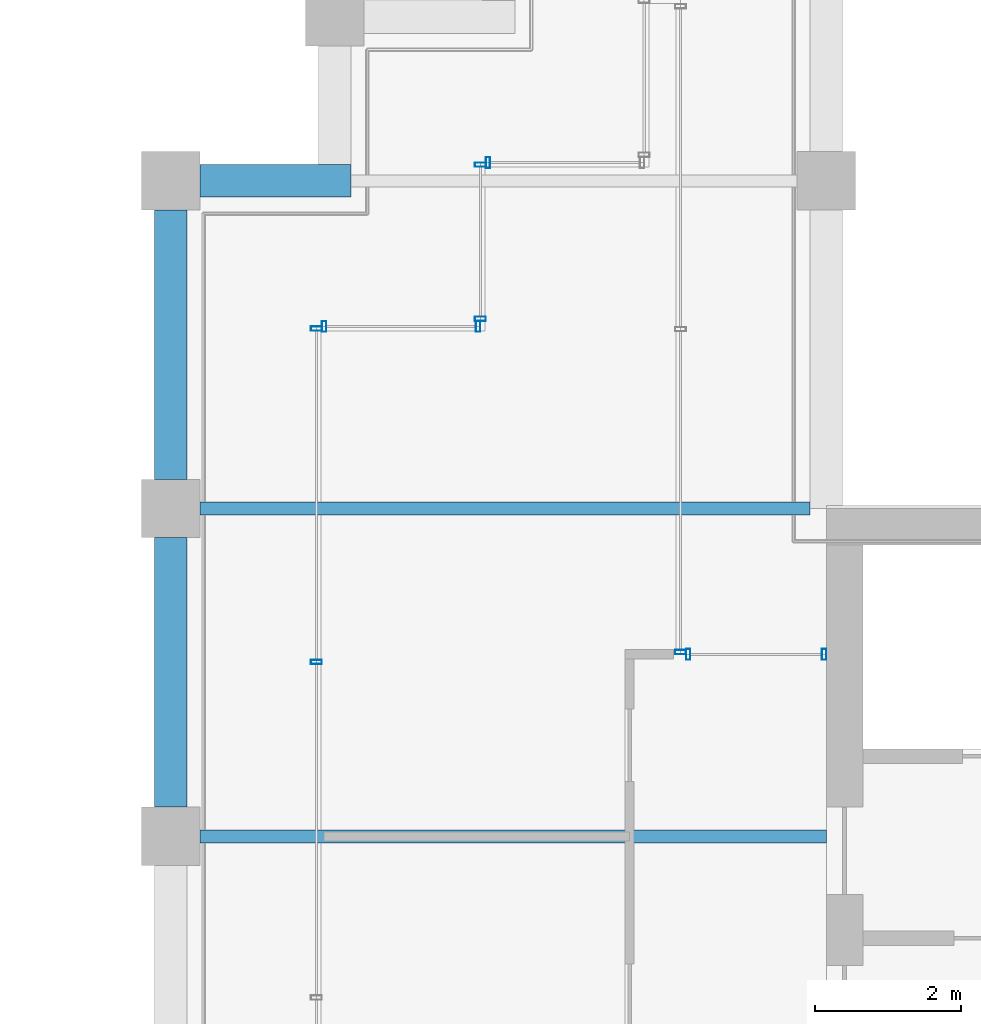
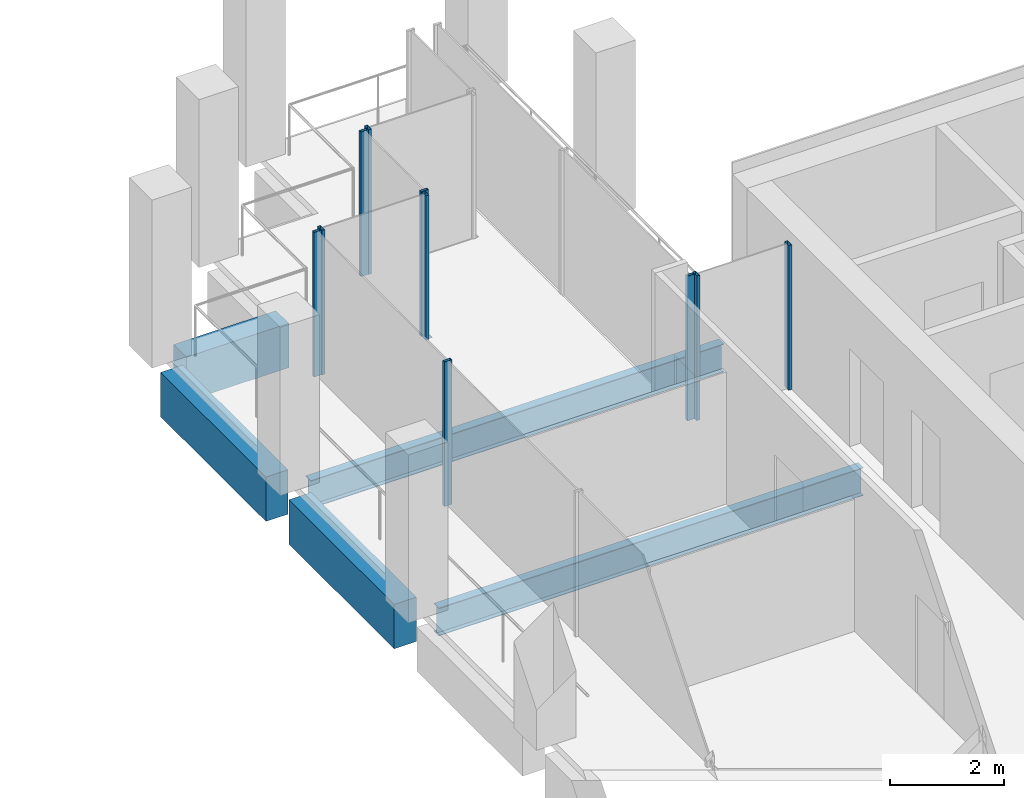
# One storey, part 32 of 40: 10 members, 5 beams, 6 elements without a shape of their own.
"""IFC4 building model written with IfcOpenShell, lengths in metres."""

from ifc_helpers import new_model, si_unit, direction, frame, origin, origin_2d, place, context, subcontext, project, spatial, rectangle, hollow_rectangle, i_section, extrude, material, material_profile, profile_set, type_object, element, aggregate, save


model = new_model("IFC4")

# Units and contexts
model_context = context("Model", 3, precision=1e-05, world=origin(), true_north=direction((0.0, 1.0)))
body_context = subcontext(model_context, "Body", "Model", "MODEL_VIEW")
ifc_project = project(units=[si_unit("LENGTHUNIT", "METRE"), si_unit("AREAUNIT", "SQUARE_METRE"), si_unit("VOLUMEUNIT", "CUBIC_METRE"), si_unit("PLANEANGLEUNIT", "RADIAN"), si_unit("MASSUNIT", "GRAM", prefix="KILO")], contexts=[model_context])

# Site, building, storey
site_placement = place(None, origin())
site = spatial("IfcSite", under=ifc_project, at=site_placement, CompositionType="ELEMENT")
building_placement = place(site_placement, origin())
building = spatial("IfcBuilding", under=site, at=building_placement, Name="Altepetl Exchange Towers", CompositionType="ELEMENT")
storey_placement = place(building_placement, frame((0.0, 0.0, 202.800048828125)))
storey = spatial("IfcBuildingStorey", under=building, at=storey_placement, Name="L51", CompositionType="ELEMENT", Elevation=202.800048828125)

# Beams
ifc_material_1 = material(Name="Steel S355", Category="steel")
ifc_material_profile_1 = material_profile(ifc_material_1, i_section(OverallWidth=0.177978515625, OverallDepth=0.59912109375, WebThickness=0.010009765625, FlangeThickness=0.0126953125, at=origin_2d()), Name="W24X55")
ifc_profile_set_1 = profile_set([ifc_material_profile_1], Name="Steel S355")
beam_type_1 = type_object("IfcBeamType", Name="Floor beam W24X55", PredefinedType="BEAM", material=ifc_profile_set_1)
beam_1_placement = place(storey_placement, frame((94.89990234375, 45.0, -0.449462890625), z_axis=(1.0, 0.0, 0.0), x_axis=(0.0, 1.0, 0.0)))
element("IfcBeam", 1, at=beam_1_placement, inside=storey, type_object=beam_type_1, Name="bm:B:L51:005", PredefinedType="BEAM", context=body_context, shape_type="SweptSolid", body=[
    extrude(i_section(OverallWidth=0.177978515625, OverallDepth=0.59912109375, WebThickness=0.010009765625, FlangeThickness=0.0126953125, at=origin_2d()), origin(), (0.0, 0.0, 1.0), 8.60009765625),
])
beam_2_placement = place(storey_placement, frame((94.89990234375, 49.5, -0.449462890625), z_axis=(1.0, 0.0, 0.0), x_axis=(0.0, 1.0, 0.0)))
element("IfcBeam", 2, at=beam_2_placement, inside=storey, type_object=beam_type_1, Name="bm:B:L51:006", PredefinedType="BEAM", context=body_context, shape_type="SweptSolid", body=[
    extrude(i_section(OverallWidth=0.177978515625, OverallDepth=0.59912109375, WebThickness=0.010009765625, FlangeThickness=0.0126953125, at=origin_2d()), origin(), (0.0, 0.0, 1.0), 8.375),
])

# Curtain wall, members
ifc_material_2 = material(Name="Aluminium 6063-T6 glazing", Category="aluminium")
curtain_wall_type = type_object("IfcCurtainWallType", Name="Loggia glazing system", PredefinedType="NOTDEFINED", material=ifc_material_2)
curtain_wall_1_placement = place(storey_placement, origin())
curtain_wall_1 = element("IfcCurtainWall", 3, at=curtain_wall_1_placement, inside=storey, type_object=curtain_wall_type, Name="CW1 run", PredefinedType="NOTDEFINED")
ifc_material_3 = material(Name="Aluminium 6063-T6", Category="aluminium")
ifc_material_profile_2 = material_profile(ifc_material_3, hollow_rectangle(XDim=0.06005859375, YDim=0.14990234375, WallThickness=0.0029296875, at=origin_2d()), Name="Mullion 60x150 aluminium")
ifc_profile_set_2 = profile_set([ifc_material_profile_2], Name="Aluminium 6063-T6")
member_type = type_object("IfcMemberType", Name="Mullion 60x150 aluminium", PredefinedType="MULLION", material=ifc_profile_set_2)
member_1_placement = place(storey_placement, frame((103.469970703125, 47.5, 0.0), z_axis=(0.0, 0.0, 1.0), x_axis=(-1.0, 0.0, 0.0)))
member_1 = element("IfcMember", 4, at=member_1_placement, type_object=member_type, Name="MU1 mullion", PredefinedType="MULLION", context=body_context, shape_type="SweptSolid", body=[
    extrude(hollow_rectangle(XDim=0.06005859375, YDim=0.14990234375, WallThickness=0.0029296875, at=origin_2d()), origin(), (0.0, 0.0, 1.0), 3.099853515625),
])
member_2_placement = place(storey_placement, frame((101.60498046875, 47.5, 0.0), z_axis=(0.0, 0.0, 1.0), x_axis=(-1.0, 0.0, 0.0)))
member_2 = element("IfcMember", 5, at=member_2_placement, type_object=member_type, Name="MU1 mullion", PredefinedType="MULLION", context=body_context, shape_type="SweptSolid", body=[
    extrude(hollow_rectangle(XDim=0.06005859375, YDim=0.14990234375, WallThickness=0.0029296875, at=origin_2d()), origin(), (0.0, 0.0, 1.0), 3.099853515625),
])
aggregate(curtain_wall_1, [member_1, member_2])

# Curtain wall, member
curtain_wall_2_placement = place(storey_placement, origin())
curtain_wall_2 = element("IfcCurtainWall", 6, at=curtain_wall_2_placement, inside=storey, type_object=curtain_wall_type, Name="CW1 run", PredefinedType="NOTDEFINED")
member_3_placement = place(storey_placement, frame((101.5, 47.530029296875, 0.0), z_axis=(0.0, 0.0, 1.0), x_axis=(0.0, 1.0, 0.0)))
member_3 = element("IfcMember", 7, at=member_3_placement, type_object=member_type, Name="MU1 mullion", PredefinedType="MULLION", context=body_context, shape_type="SweptSolid", body=[
    extrude(hollow_rectangle(XDim=0.06005859375, YDim=0.14990234375, WallThickness=0.0029296875, at=origin_2d()), origin(), (0.0, 0.0, 1.0), 3.099853515625),
])
aggregate(curtain_wall_2, [member_3])

curtain_wall_3_placement = place(storey_placement, origin())
curtain_wall_3 = element("IfcCurtainWall", 8, at=curtain_wall_3_placement, inside=storey, type_object=curtain_wall_type, Name="CW1 run", PredefinedType="NOTDEFINED")
member_4_placement = place(storey_placement, frame((98.85498046875, 54.25, 0.0), z_axis=(0.0, 0.0, 1.0), x_axis=(-1.0, 0.0, 0.0)))
member_4 = element("IfcMember", 9, at=member_4_placement, type_object=member_type, Name="MU1 mullion", PredefinedType="MULLION", context=body_context, shape_type="SweptSolid", body=[
    extrude(hollow_rectangle(XDim=0.06005859375, YDim=0.14990234375, WallThickness=0.0029296875, at=origin_2d()), origin(), (0.0, 0.0, 1.0), 3.099853515625),
])
aggregate(curtain_wall_3, [member_4])

# Curtain wall, members
curtain_wall_4_placement = place(storey_placement, origin())
curtain_wall_4 = element("IfcCurtainWall", 10, at=curtain_wall_4_placement, inside=storey, type_object=curtain_wall_type, Name="CW1 run", PredefinedType="NOTDEFINED")
member_5_placement = place(storey_placement, frame((98.75, 54.219970703125, 0.0), z_axis=(0.0, 0.0, 1.0), x_axis=(0.0, -1.0, 0.0)))
member_5 = element("IfcMember", 11, at=member_5_placement, type_object=member_type, Name="MU1 mullion", PredefinedType="MULLION", context=body_context, shape_type="SweptSolid", body=[
    extrude(hollow_rectangle(XDim=0.06005859375, YDim=0.14990234375, WallThickness=0.0029296875, at=origin_2d()), origin(), (0.0, 0.0, 1.0), 3.099853515625),
])
member_6_placement = place(storey_placement, frame((98.75, 52.10498046875, 0.0), z_axis=(0.0, 0.0, 1.0), x_axis=(0.0, -1.0, 0.0)))
member_6 = element("IfcMember", 12, at=member_6_placement, type_object=member_type, Name="MU1 mullion", PredefinedType="MULLION", context=body_context, shape_type="SweptSolid", body=[
    extrude(hollow_rectangle(XDim=0.06005859375, YDim=0.14990234375, WallThickness=0.0029296875, at=origin_2d()), origin(), (0.0, 0.0, 1.0), 3.099853515625),
])
aggregate(curtain_wall_4, [member_5, member_6])

curtain_wall_5_placement = place(storey_placement, origin())
curtain_wall_5 = element("IfcCurtainWall", 13, at=curtain_wall_5_placement, inside=storey, type_object=curtain_wall_type, Name="CW1 run", PredefinedType="NOTDEFINED")
member_7_placement = place(storey_placement, frame((98.719970703125, 52.0, 0.0), z_axis=(0.0, 0.0, 1.0), x_axis=(-1.0, 0.0, 0.0)))
member_7 = element("IfcMember", 14, at=member_7_placement, type_object=member_type, Name="MU1 mullion", PredefinedType="MULLION", context=body_context, shape_type="SweptSolid", body=[
    extrude(hollow_rectangle(XDim=0.06005859375, YDim=0.14990234375, WallThickness=0.0029296875, at=origin_2d()), origin(), (0.0, 0.0, 1.0), 3.099853515625),
])
member_8_placement = place(storey_placement, frame((96.60498046875, 52.0, 0.0), z_axis=(0.0, 0.0, 1.0), x_axis=(-1.0, 0.0, 0.0)))
member_8 = element("IfcMember", 15, at=member_8_placement, type_object=member_type, Name="MU1 mullion", PredefinedType="MULLION", context=body_context, shape_type="SweptSolid", body=[
    extrude(hollow_rectangle(XDim=0.06005859375, YDim=0.14990234375, WallThickness=0.0029296875, at=origin_2d()), origin(), (0.0, 0.0, 1.0), 3.099853515625),
])
aggregate(curtain_wall_5, [member_7, member_8])

curtain_wall_6_placement = place(storey_placement, origin())
curtain_wall_6 = element("IfcCurtainWall", 16, at=curtain_wall_6_placement, inside=storey, type_object=curtain_wall_type, Name="CW1 run", PredefinedType="NOTDEFINED")
member_9_placement = place(storey_placement, frame((96.5, 51.969970703125, 0.0), z_axis=(0.0, 0.0, 1.0), x_axis=(0.0, -1.0, 0.0)))
member_9 = element("IfcMember", 17, at=member_9_placement, type_object=member_type, Name="MU1 mullion", PredefinedType="MULLION", context=body_context, shape_type="SweptSolid", body=[
    extrude(hollow_rectangle(XDim=0.06005859375, YDim=0.14990234375, WallThickness=0.0029296875, at=origin_2d()), origin(), (0.0, 0.0, 1.0), 3.099853515625),
])
member_10_placement = place(storey_placement, frame((96.5, 47.393798828125, 0.0), z_axis=(0.0, 0.0, 1.0), x_axis=(0.0, -1.0, 0.0)))
member_10 = element("IfcMember", 18, at=member_10_placement, type_object=member_type, Name="MU1 mullion", PredefinedType="MULLION", context=body_context, shape_type="SweptSolid", body=[
    extrude(hollow_rectangle(XDim=0.06005859375, YDim=0.14990234375, WallThickness=0.0029296875, at=origin_2d()), origin(), (0.0, 0.0, 1.0), 3.099853515625),
])
aggregate(curtain_wall_6, [member_9, member_10])

# Beams
ifc_material_4 = material(Name="Concrete C50/60 precast with cantera rosa facing", Category="concrete")
ifc_material_profile_3 = material_profile(ifc_material_4, rectangle(XDim=0.449951171875, YDim=0.949951171875, at=origin_2d()), Name="450 x 950")
ifc_profile_set_3 = profile_set([ifc_material_profile_3], Name="Concrete C50/60 precast with cantera rosa facing")
beam_type_2 = type_object("IfcBeamType", Name="Spandrel beam 450x950 cantera rosa", PredefinedType="SPANDREL", material=ifc_profile_set_3)
beam_3_placement = place(storey_placement, frame((96.97509765625, 54.0, -0.625), z_axis=(-1.0, 0.0, 0.0), x_axis=(0.0, -1.0, 0.0)))
element("IfcBeam", 19, at=beam_3_placement, inside=storey, type_object=beam_type_2, Name="sp:B:L51:014", PredefinedType="SPANDREL", context=body_context, shape_type="SweptSolid", body=[
    extrude(rectangle(XDim=0.449951171875, YDim=0.949951171875, at=origin_2d()), origin(), (0.0, 0.0, 1.0), 2.0751953125),
])
for number, where, z_axis, x_axis, name in (
    (20, (94.5, 53.60009765625, -0.625), (0.0, -1.0, 0.0), (1.0, 0.0, 0.0), "sp:B:L51:015"),
    (21, (94.5, 49.10009765625, -0.625), (0.0, -1.0, 0.0), (1.0, 0.0, 0.0), "sp:B:L51:016"),
):
    element("IfcBeam", number, at=place(storey_placement, frame(where, z_axis=z_axis, x_axis=x_axis)), inside=storey, type_object=beam_type_2, Name=name, PredefinedType="SPANDREL", context=body_context, shape_type="SweptSolid", body=[
        extrude(rectangle(XDim=0.449951171875, YDim=0.949951171875, at=origin_2d()), origin(), (0.0, 0.0, 1.0), 3.7001953125),
    ])

save(model, "model.ifc")
